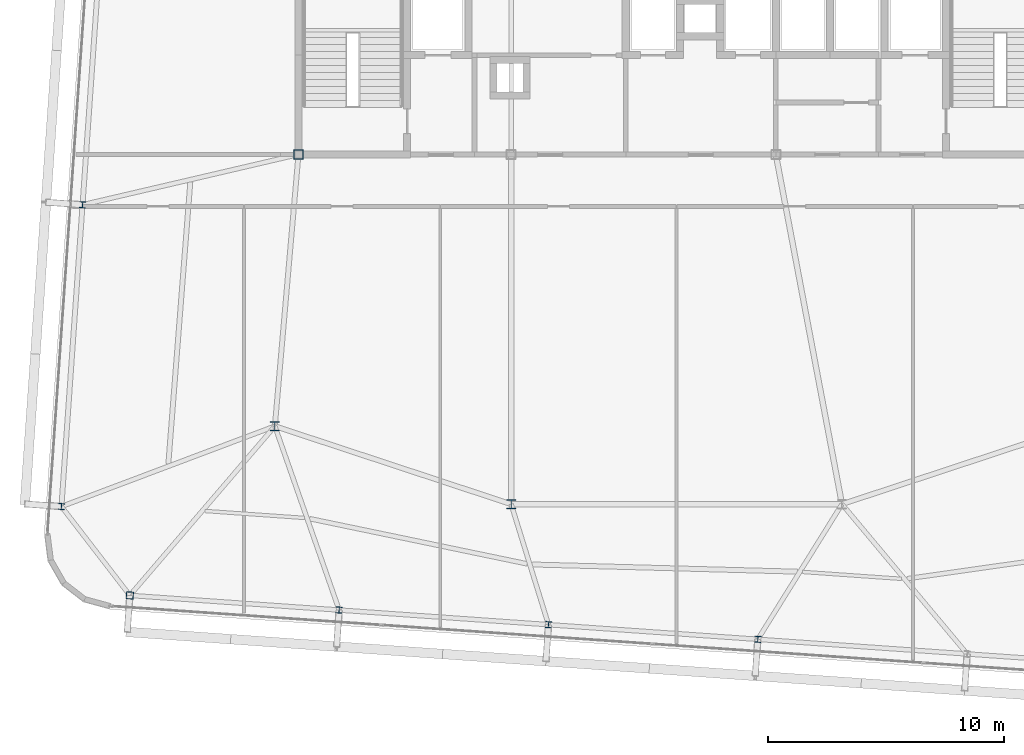
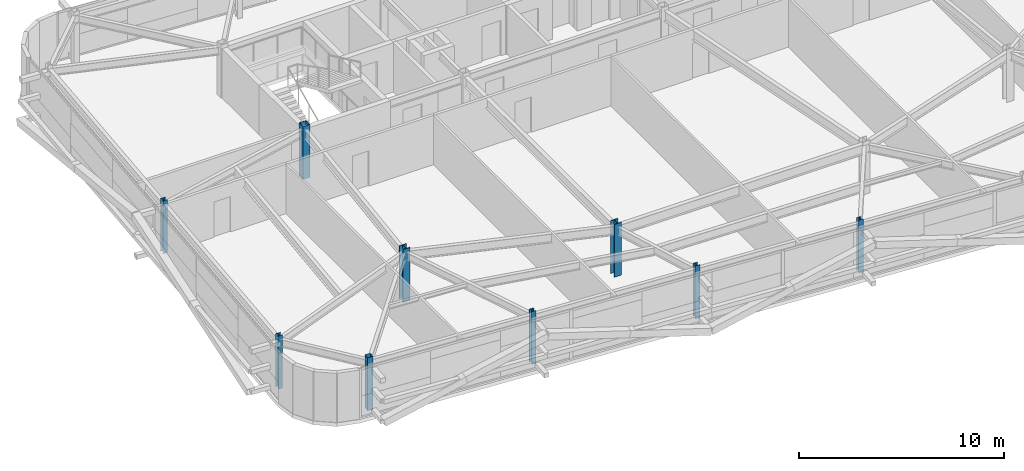
# One storey, part 1 of 39: 9 columns.
"""IFC4 building model written with IfcOpenShell, lengths in metres."""

import ifcopenshell
import ifcopenshell.guid

model = None  # the IFC model being written
_history = None  # IfcOwnerHistory: only IFC2X3 demands one
_inside = {}  # id of a spatial element -> (the spatial element, [elements in it])
_under = {}  # id of a project, library or spatial element -> (it, [spatial elements below it])
_declared = {}  # id of a project -> (the project, [libraries it declares])
_typed = {}  # id of a type object -> (the type object, [elements of that type])
_made_of = {}  # id of a material, layer set ... -> (it, [elements and type objects made of it])


def new_model(schema):
    """Start an empty IFC model of exactly this schema.

    Asked for "IFC4X3", IfcOpenShell would pick the latest addendum, in which some entities
    have other attributes; the version numbers below select the first issue.
    IFC2X3 requires an IfcOwnerHistory on every rooted entity: one is made here for all.
    """
    global model, _history
    if schema == "IFC4X3":
        model = ifcopenshell.file(schema_version=(4, 3, 0, 0))
    else:
        model = ifcopenshell.file(schema=schema)
    _inside.clear()
    _under.clear()
    _declared.clear()
    _typed.clear()
    _made_of.clear()
    _history = None
    if model.schema == "IFC2X3":
        org = make("IfcOrganization", Name="unknown")
        user = make(
            "IfcPersonAndOrganization",
            ThePerson=make("IfcPerson", FamilyName="unknown"),
            TheOrganization=org,
        )
        app = make(
            "IfcApplication",
            ApplicationDeveloper=org,
            Version="unknown",
            ApplicationFullName="unknown",
            ApplicationIdentifier="unknown",
        )
        _history = make(
            "IfcOwnerHistory",
            OwningUser=user,
            OwningApplication=app,
            ChangeAction="ADDED",
            CreationDate=0,
        )
    return model


def make(cls, **values):
    """One entity of the class cls with the attributes given. An attribute that is None is left unset."""
    return model.create_entity(
        cls, **{name: value for name, value in values.items() if value is not None}
    )


def rooted(cls, **values):
    """An entity with a GlobalId (a new one), such as an element, a storey or a relation."""
    return make(cls, GlobalId=ifcopenshell.guid.new(), OwnerHistory=_history, **values)


def si_unit(unit_type, name, prefix=None):
    """IfcSIUnit, for example si_unit("LENGTHUNIT", "METRE", prefix="MILLI")."""
    return make("IfcSIUnit", UnitType=unit_type, Prefix=prefix, Name=name)


def assignment(units):
    """IfcUnitAssignment: the units of a project."""
    return None if units is None else make("IfcUnitAssignment", Units=units)


def point(xyz):
    """IfcCartesianPoint."""
    return None if xyz is None else make("IfcCartesianPoint", Coordinates=xyz)


def direction(xyz):
    """IfcDirection."""
    return None if xyz is None else make("IfcDirection", DirectionRatios=xyz)


def frame(location, z_axis=None, x_axis=None):
    """IfcAxis2Placement3D, a coordinate frame: its origin and axes. An axis left out is left unset."""
    return make(
        "IfcAxis2Placement3D",
        Location=point(location),
        Axis=direction(z_axis),
        RefDirection=direction(x_axis),
    )


def frame_2d(location, x_axis=None):
    """IfcAxis2Placement2D, a coordinate frame in the plane: its origin and x axis."""
    return make(
        "IfcAxis2Placement2D", Location=point(location), RefDirection=direction(x_axis)
    )


def origin():
    """The frame at (0, 0, 0) with its axes left unset."""
    return frame((0.0, 0.0, 0.0))


def origin_2d():
    """The frame at (0, 0) in the plane with its x axis left unset."""
    return frame_2d((0.0, 0.0))


def place(relative_to, where):
    """IfcLocalPlacement: puts the frame where relative to a parent placement (None: the world)."""
    return make(
        "IfcLocalPlacement", PlacementRelTo=relative_to, RelativePlacement=where
    )


def context(
    kind, dimensions, precision=None, world=None, true_north=None, identifier=None
):
    """IfcGeometricRepresentationContext, for example the 3D "Model" context."""
    return make(
        "IfcGeometricRepresentationContext",
        ContextIdentifier=identifier,
        ContextType=kind,
        CoordinateSpaceDimension=dimensions,
        Precision=precision,
        WorldCoordinateSystem=world,
        TrueNorth=true_north,
    )


def subcontext(parent, identifier, kind, view, scale=None):
    """IfcGeometricRepresentationSubContext, for example "Body" below "Model"."""
    return make(
        "IfcGeometricRepresentationSubContext",
        ContextIdentifier=identifier,
        ContextType=kind,
        ParentContext=parent,
        TargetScale=scale,
        TargetView=view,
    )


def project(units=None, contexts=None):
    """IfcProject with its units and contexts."""
    return rooted(
        "IfcProject",
        Name="project",
        RepresentationContexts=contexts,
        UnitsInContext=assignment(units),
    )


def spatial(cls, under=None, at=None, **own):
    """A site, building, storey or space (cls), placed at a placement, below another one or the project."""
    s = rooted(cls, ObjectPlacement=at, **own)
    if under is not None:
        _under.setdefault(under.id(), (under, []))[1].append(s)
    return s


def profile(cls, at=None, kind="AREA", **sizes):
    """A parametric profile (cls). Its sizes go by their IFC names, for example OverallWidth=200.0."""
    return make(cls, ProfileType=kind, Position=at, **sizes)


def hollow_rectangle(**sizes):
    """IfcRectangleHollowProfileDef."""
    return profile("IfcRectangleHollowProfileDef", **sizes)


def i_section(**sizes):
    """IfcIShapeProfileDef."""
    return profile("IfcIShapeProfileDef", **sizes)


def extrude(swept, where, along, depth):
    """IfcExtrudedAreaSolid: the profile swept, set in the frame where, extruded along a direction by depth."""
    return make(
        "IfcExtrudedAreaSolid",
        SweptArea=swept,
        Position=where,
        ExtrudedDirection=direction(along),
        Depth=depth,
    )


def shape(context_of_items, identifier, shape_type, items):
    """IfcShapeRepresentation: the items that make up one representation, for example the "Body"."""
    return make(
        "IfcShapeRepresentation",
        ContextOfItems=context_of_items,
        RepresentationIdentifier=identifier,
        RepresentationType=shape_type,
        Items=items,
    )


def source(mapping_origin, context_of_items, identifier, shape_type, items):
    """IfcRepresentationMap: a shape defined once, which mapped items show again and again."""
    return make(
        "IfcRepresentationMap",
        MappingOrigin=mapping_origin,
        MappedRepresentation=shape(context_of_items, identifier, shape_type, items),
    )


def transform(
    local_origin,
    x_axis=None,
    y_axis=None,
    z_axis=None,
    scale=None,
    scale2=None,
    scale3=None,
    uniform=True,
):
    """IfcCartesianTransformationOperator3D, or its non-uniform kind. x_axis, y_axis, z_axis: its Axis1, 2, 3."""
    if uniform:
        return make(
            "IfcCartesianTransformationOperator3D",
            Axis1=direction(x_axis),
            Axis2=direction(y_axis),
            LocalOrigin=point(local_origin),
            Scale=scale,
            Axis3=direction(z_axis),
        )
    return make(
        "IfcCartesianTransformationOperator3DnonUniform",
        Axis1=direction(x_axis),
        Axis2=direction(y_axis),
        LocalOrigin=point(local_origin),
        Scale=scale,
        Axis3=direction(z_axis),
        Scale2=scale2,
        Scale3=scale3,
    )


def mapped(mapping_source, mapping_target):
    """IfcMappedItem: shows the shape of a source again, moved by a transform."""
    return make(
        "IfcMappedItem", MappingSource=mapping_source, MappingTarget=mapping_target
    )


def material(Name=None, Category=None):
    """IfcMaterial."""
    return make("IfcMaterial", Name=Name, Category=Category)


def material_profile(
    of_material, cross_section, Name=None, Category=None, Priority=None
):
    """IfcMaterialProfile: a cross section and its material."""
    return make(
        "IfcMaterialProfile",
        Name=Name,
        Material=of_material,
        Profile=cross_section,
        Priority=Priority,
        Category=Category,
    )


def profile_set(profiles, Name=None, composite=None):
    """IfcMaterialProfileSet."""
    return make(
        "IfcMaterialProfileSet",
        Name=Name,
        MaterialProfiles=profiles,
        CompositeProfile=composite,
    )


def made_of(thing, what):
    """Note that an element or type object is made of a material, layer set ...; save() writes the relation."""
    if what is not None:
        _made_of.setdefault(what.id(), (what, []))[1].append(thing)
    return thing


def type_object(cls, material=None, **own):
    """A type object (cls), such as IfcWallType, which elements share."""
    return made_of(rooted(cls, **own), material)


def element(
    cls,
    number,
    at=None,
    inside=None,
    cuts=None,
    type_object=None,
    material=None,
    context=None,
    identifier="Body",
    shape_type=None,
    held_by="IfcProductDefinitionShape",
    body=None,
    shapes=None,
    **own,
):
    """One element of the class cls, such as IfcWall. Its Tag is "e" and its number.

    at: its placement. inside: the storey or other place that contains it. cuts: it is an
    opening in that element (IfcRelVoidsElement). A single representation is given by context,
    identifier, shape_type and body (its items); several are given by shapes. held_by: the class
    of the entity that holds the representations. save() writes the other relations.
    """
    e = rooted(cls, Tag="e%d" % number, ObjectPlacement=at, **own)
    if body is not None:
        shapes = [shape(context, identifier, shape_type, body)]
    if shapes is not None:
        e.Representation = make(held_by, Representations=shapes)
    if inside is not None:
        _inside.setdefault(inside.id(), (inside, []))[1].append(e)
    if cuts is not None:
        rooted(
            "IfcRelVoidsElement", RelatingBuildingElement=cuts, RelatedOpeningElement=e
        )
    if type_object is not None:
        _typed.setdefault(type_object.id(), (type_object, []))[1].append(e)
    return made_of(e, material)


def aggregate(whole, parts):
    """IfcRelAggregates: a whole, such as a stair, and the parts it consists of."""
    return rooted("IfcRelAggregates", RelatingObject=whole, RelatedObjects=parts)


def save(model, path):
    """Write the relations noted so far, then the file.

    IfcRelAggregates (storeys below a building ...), IfcRelContainedInSpatialStructure (elements
    in a storey), IfcRelDefinesByType, IfcRelAssociatesMaterial and IfcRelDeclares: one each for
    every whole, place, type object, material and project.
    """
    for whole, parts in _under.values():
        aggregate(whole, parts)
    for where, things in _inside.values():
        rooted(
            "IfcRelContainedInSpatialStructure",
            RelatedElements=things,
            RelatingStructure=where,
        )
    for kind, things in _typed.values():
        rooted("IfcRelDefinesByType", RelatedObjects=things, RelatingType=kind)
    for what, things in _made_of.values():
        rooted("IfcRelAssociatesMaterial", RelatedObjects=things, RelatingMaterial=what)
    for by, libraries in _declared.values():
        rooted("IfcRelDeclares", RelatingContext=by, RelatedDefinitions=libraries)
    model.write(path)


model = new_model("IFC4")

# Units and contexts
model_context = context("Model", 3, precision=1e-05, world=origin(), true_north=direction((0.0, 1.0)))
body_context = subcontext(model_context, "Body", "Model", "MODEL_VIEW")
ifc_project = project(units=[si_unit("LENGTHUNIT", "METRE"), si_unit("AREAUNIT", "SQUARE_METRE"), si_unit("VOLUMEUNIT", "CUBIC_METRE"), si_unit("PLANEANGLEUNIT", "RADIAN"), si_unit("MASSUNIT", "GRAM", prefix="KILO")], contexts=[model_context])

# Site, building, storey
site_placement = place(None, origin())
site = spatial("IfcSite", under=ifc_project, at=site_placement, CompositionType="ELEMENT")
building_placement = place(site_placement, origin())
building = spatial("IfcBuilding", under=site, at=building_placement, Name="Taldren Reach Tower", CompositionType="ELEMENT")
storey_placement = place(building_placement, frame((0.0, 0.0, 145.60009765625)))
storey = spatial("IfcBuildingStorey", under=building, at=storey_placement, Name="L44", CompositionType="ELEMENT", Elevation=145.60009765625)

# Columns
ifc_material_1 = material(Name="Steel Gr 350 (350PLUS)", Category="steel")
ifc_material_profile_1 = material_profile(ifc_material_1, i_section(OverallWidth=0.39990234375, OverallDepth=0.39599609375, WebThickness=0.02197265625, FlangeThickness=0.033935546875, at=origin_2d()), Name="400WC270")
ifc_profile_set_1 = profile_set([ifc_material_profile_1], Name="Steel Gr 350 (350PLUS)")
column_type_1 = type_object("IfcColumnType", Name="COL-WC400", PredefinedType="COLUMN", material=ifc_profile_set_1)
shared_shape_1 = source(origin(), body_context, "Body", "SweptSolid", [
    extrude(i_section(OverallWidth=0.39990234375, OverallDepth=0.39599609375, WebThickness=0.02197265625, FlangeThickness=0.033935546875, at=origin_2d()), origin(), (0.0, 0.0, 1.0), 3.14990234375),
])
for number, where, z_axis, x_axis, name in (
    (1, (28.0, 9.199951171875, 0.0), (0.0, 0.0, 1.0), (1.0, 0.0, 0.0), "Mega column MC-PJW L44"),
    (2, (18.0, 12.5, 0.0), (0.0, 0.0, 1.0), (1.0, 0.0, 0.0), "Mega column MC-SW L44"),
):
    element("IfcColumn", number, at=place(storey_placement, frame(where, z_axis=z_axis, x_axis=x_axis)), inside=storey, type_object=column_type_1, Name=name, PredefinedType="COLUMN", context=body_context, shape_type="MappedRepresentation", body=[
        mapped(shared_shape_1, transform((0.0, 0.0, 0.0), scale=1.0)),
    ])
ifc_material_2 = material(Name="Steel Gr 450 (C450L0)", Category="steel")
ifc_material_profile_2 = material_profile(ifc_material_2, hollow_rectangle(XDim=0.39990234375, YDim=0.39990234375, WallThickness=0.01611328125, at=origin_2d()), Name="400x400x16.0SHS")
ifc_profile_set_2 = profile_set([ifc_material_profile_2], Name="Steel Gr 450 (C450L0)")
column_type_2 = type_object("IfcColumnType", Name="COL-SHS400", PredefinedType="COLUMN", material=ifc_profile_set_2)
shared_shape_2 = source(origin(), body_context, "Body", "SweptSolid", [
    extrude(hollow_rectangle(XDim=0.39990234375, YDim=0.39990234375, WallThickness=0.01611328125, at=origin_2d()), origin(), (0.0, 0.0, 1.0), 3.14990234375),
])
column_1_placement = place(storey_placement, frame((19.0, 24.0, 0.0), z_axis=(0.0, 0.0, 1.0), x_axis=(1.0, 0.0, 0.0)))
element("IfcColumn", 3, at=column_1_placement, inside=storey, type_object=column_type_2, Name="Mega column MC-C1 L44", PredefinedType="COLUMN", context=body_context, shape_type="MappedRepresentation", body=[
    mapped(shared_shape_2, transform((0.0, 0.0, 0.0), scale=1.0)),
])
ifc_material_profile_3 = material_profile(ifc_material_2, hollow_rectangle(XDim=0.300048828125, YDim=0.300048828125, WallThickness=0.012451171875, at=origin_2d()), Name="300x300x12.5SHS")
ifc_profile_set_3 = profile_set([ifc_material_profile_3], Name="Steel Gr 450 (C450L0)")
column_type_3 = type_object("IfcColumnType", Name="COL-SHS300", PredefinedType="COLUMN", material=ifc_profile_set_3)
shared_shape_3 = source(origin(), body_context, "Body", "SweptSolid", [
    extrude(hollow_rectangle(XDim=0.300048828125, YDim=0.300048828125, WallThickness=0.012451171875, at=origin_2d()), origin(), (0.0, 0.0, 1.0), 3.14990234375),
])
column_2_placement = place(storey_placement, frame((11.863525390625, 5.33837890625, 0.0), z_axis=(0.0, 0.0, 1.0), x_axis=(0.99756405026, -0.069756473744, 0.0)))
element("IfcColumn", 4, at=column_2_placement, inside=storey, type_object=column_type_3, Name="Block B3 perimeter column S1 L44", PredefinedType="COLUMN", context=body_context, shape_type="MappedRepresentation", body=[
    mapped(shared_shape_3, transform((0.0, 0.0, 0.0), scale=1.0)),
])
ifc_material_profile_4 = material_profile(ifc_material_1, i_section(OverallWidth=0.256103515625, OverallDepth=0.260009765625, WebThickness=0.010498046875, FlangeThickness=0.017333984375, at=origin_2d()), Name="250UC89.5")
ifc_profile_set_4 = profile_set([ifc_material_profile_4], Name="Steel Gr 350 (350PLUS)")
column_type_4 = type_object("IfcColumnType", Name="COL-UC250", PredefinedType="COLUMN", material=ifc_profile_set_4)
shared_shape_4 = source(origin(), body_context, "Body", "SweptSolid", [
    extrude(i_section(OverallWidth=0.256103515625, OverallDepth=0.260009765625, WebThickness=0.010498046875, FlangeThickness=0.017333984375, at=origin_2d()), origin(), (0.0, 0.0, 1.0), 3.14990234375),
])
for number, where, z_axis, x_axis, name in (
    (5, (20.721923828125, 4.718994140625, 0.0), (0.0, 0.0, 1.0), (0.99756405026, -0.069756473744, 0.0), "Block B3 perimeter column S2 L44"),
    (6, (29.580322265625, 4.099609375, 0.0), (0.0, 0.0, 1.0), (0.99756405026, -0.069756473744, 0.0), "Block B3 perimeter column S3 L44"),
    (7, (38.438720703125, 3.480224609375, 0.0), (0.0, 0.0, 1.0), (0.99756405026, -0.069756473744, 0.0), "Block B3 perimeter column S4 L44"),
    (8, (8.96875, 9.099609375, 0.0), (0.0, 0.0, 1.0), (0.99756405026, -0.069756473744, 0.0), "Block B3 perimeter column W1 L44"),
    (9, (9.86181640625, 21.868408203125, 0.0), (0.0, 0.0, 1.0), (0.99756405026, -0.069756473744, 0.0), "Block B3 perimeter column W2 L44"),
):
    element("IfcColumn", number, at=place(storey_placement, frame(where, z_axis=z_axis, x_axis=x_axis)), inside=storey, type_object=column_type_4, Name=name, PredefinedType="COLUMN", context=body_context, shape_type="MappedRepresentation", body=[
        mapped(shared_shape_4, transform((0.0, 0.0, 0.0), scale=1.0)),
    ])

save(model, "model.ifc")
